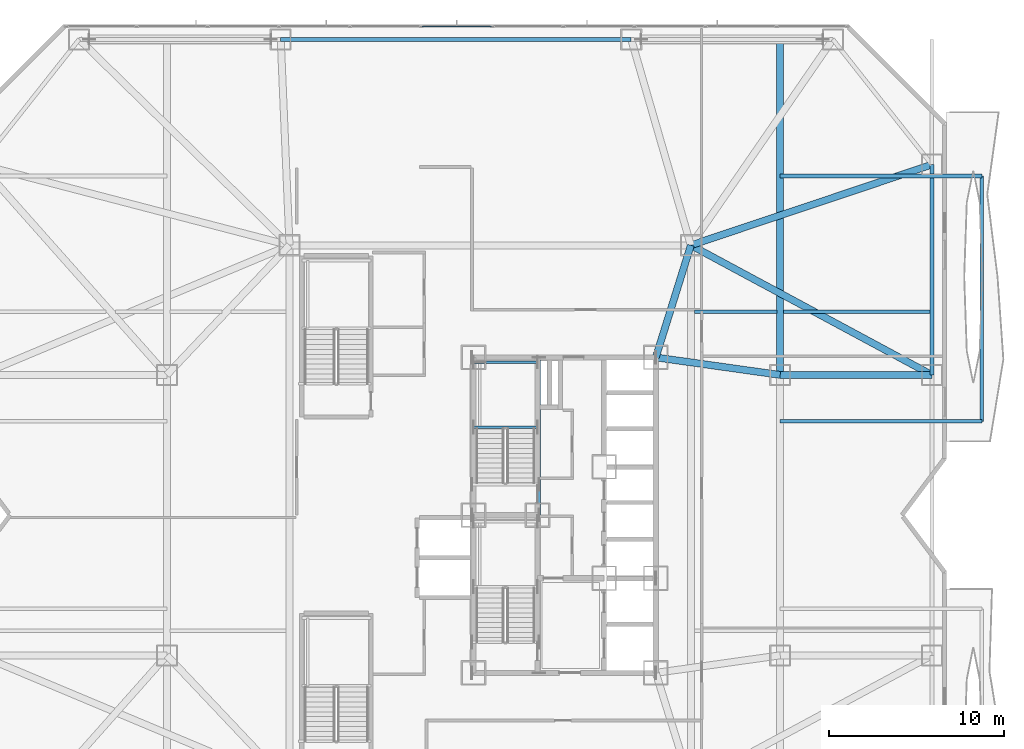
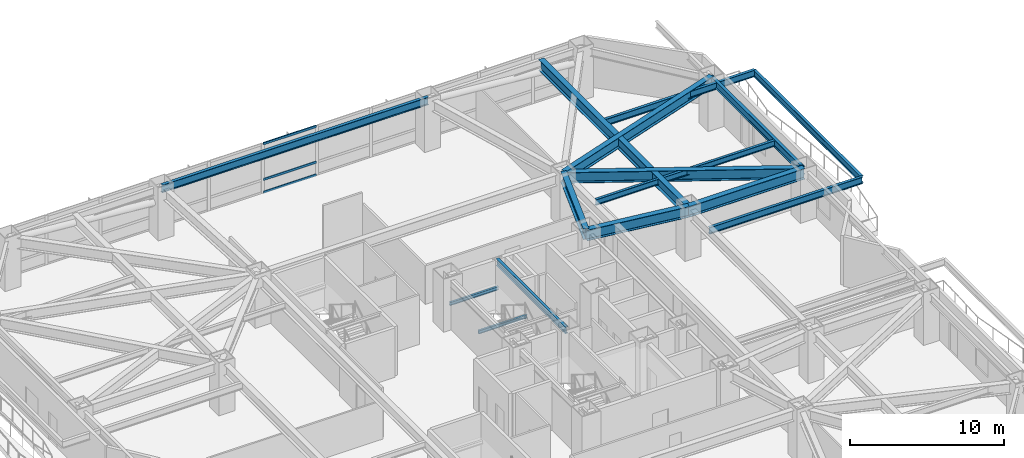
# One storey, part 5 of 25: 16 beams, 3 members, 1 element without a shape of its own.
"""IFC4 building model written with IfcOpenShell, lengths in metres."""

from ifc_helpers import new_model, si_unit, direction, frame, origin, origin_2d, place, context, subcontext, project, spatial, hollow_rectangle, i_section, extrude, material, material_profile, profile_set, type_object, element, aggregate, save


model = new_model("IFC4")

# Units and contexts
model_context = context("Model", 3, precision=1e-05, world=origin(), true_north=direction((0.0, 1.0)))
body_context = subcontext(model_context, "Body", "Model", "MODEL_VIEW")
ifc_project = project(units=[si_unit("LENGTHUNIT", "METRE"), si_unit("AREAUNIT", "SQUARE_METRE"), si_unit("VOLUMEUNIT", "CUBIC_METRE"), si_unit("PLANEANGLEUNIT", "RADIAN"), si_unit("MASSUNIT", "GRAM", prefix="KILO")], contexts=[model_context])

# Site, building, storey
site_placement = place(None, origin())
site = spatial("IfcSite", under=ifc_project, at=site_placement, CompositionType="ELEMENT")
building_placement = place(site_placement, origin())
building = spatial("IfcBuilding", under=site, at=building_placement, Name="Khamvora Tower", CompositionType="ELEMENT")
storey_placement = place(building_placement, frame((0.0, 0.0, 16.199951171875)))
storey = spatial("IfcBuildingStorey", under=building, at=storey_placement, Name="L03", CompositionType="ELEMENT", Elevation=16.199951171875)

# Beams
ifc_material_1 = material(Name="Steel S355", Category="steel")
ifc_material_profile_1 = material_profile(ifc_material_1, i_section(OverallWidth=0.19189453125, OverallDepth=0.462890625, WebThickness=0.010986328125, FlangeThickness=0.01806640625, FilletRadius=0.011962890625, at=origin_2d()), Name="W460x89")
ifc_profile_set_1 = profile_set([ifc_material_profile_1], Name="Steel S355")
beam_type_1 = type_object("IfcBeamType", Name="BM-JS-W460x89", PredefinedType="JOIST", material=ifc_profile_set_1)
beam_1_placement = place(storey_placement, frame((41.594970703125, 39.60009765625, 3.68896484375), z_axis=(1.0, 0.0, 0.0), x_axis=(0.0, 1.0, 0.0)))
element("IfcBeam", 1, at=beam_1_placement, inside=storey, type_object=beam_type_1, Name="L03 secondary floor joist 15", PredefinedType="JOIST", context=body_context, shape_type="SweptSolid", body=[
    extrude(i_section(OverallWidth=0.19189453125, OverallDepth=0.462890625, WebThickness=0.010986328125, FlangeThickness=0.01806640625, FilletRadius=0.011962890625, at=origin_2d()), origin(), (0.0, 0.0, 1.0), 4.7099609375),
])
beam_2_placement = place(storey_placement, frame((46.695068359375, 39.60009765625, 3.68896484375), z_axis=(1.0, 0.0, 0.0), x_axis=(0.0, 1.0, 0.0)))
element("IfcBeam", 2, at=beam_2_placement, inside=storey, type_object=beam_type_1, Name="L03 secondary floor joist 16", PredefinedType="JOIST", context=body_context, shape_type="SweptSolid", body=[
    extrude(i_section(OverallWidth=0.19189453125, OverallDepth=0.462890625, WebThickness=0.010986328125, FlangeThickness=0.01806640625, FilletRadius=0.011962890625, at=origin_2d()), origin(), (0.0, 0.0, 1.0), 8.344970703125),
])
ifc_material_profile_2 = material_profile(ifc_material_1, i_section(OverallWidth=0.14697265625, OverallDepth=0.261962890625, WebThickness=0.007080078125, FlangeThickness=0.010986328125, FilletRadius=0.008056640625, at=origin_2d()), Name="W250x39")
ifc_profile_set_2 = profile_set([ifc_material_profile_2], Name="Steel S355")
beam_type_2 = type_object("IfcBeamType", Name="BM-LN-W250x39", PredefinedType="LINTEL", material=ifc_profile_set_2)
for number, where, z_axis, x_axis, name in (
    (3, (29.0, 33.014892578125, 1.76904296875), (1.0, 0.0, 0.0), (0.0, 1.0, 0.0), "L03 ST-02 half-landing support beam 1.1"),
    (4, (29.0, 36.72998046875, 1.76904296875), (1.0, 0.0, 0.0), (0.0, 1.0, 0.0), "L03 ST-02 half-landing support beam 1.2"),
):
    element("IfcBeam", number, at=place(storey_placement, frame(where, z_axis=z_axis, x_axis=x_axis)), inside=storey, type_object=beam_type_2, Name=name, PredefinedType="LINTEL", context=body_context, shape_type="SweptSolid", body=[
        extrude(i_section(OverallWidth=0.14697265625, OverallDepth=0.261962890625, WebThickness=0.007080078125, FlangeThickness=0.010986328125, FilletRadius=0.008056640625, at=origin_2d()), origin(), (0.0, 0.0, 1.0), 3.64990234375),
    ])
ifc_material_profile_3 = material_profile(ifc_material_1, i_section(OverallWidth=0.39990234375, OverallDepth=0.85498046875, WebThickness=0.01806640625, FlangeThickness=0.029052734375, FilletRadius=0.01806640625, at=origin_2d()), Name="W840x299")
ifc_profile_set_3 = profile_set([ifc_material_profile_3], Name="Steel S355")
beam_type_3 = type_object("IfcBeamType", Name="BM-PG-W840x299", PredefinedType="BEAM", material=ifc_profile_set_3)
beam_3_placement = place(storey_placement, frame((46.5, 36.0, 3.4931640625), z_axis=(1.0, 0.0, 0.0), x_axis=(0.0, 1.0, 0.0)))
element("IfcBeam", 5, at=beam_3_placement, inside=storey, type_object=beam_type_3, Name="L03 primary floor girder P15", PredefinedType="BEAM", context=body_context, shape_type="SweptSolid", body=[
    extrude(i_section(OverallWidth=0.39990234375, OverallDepth=0.85498046875, WebThickness=0.01806640625, FlangeThickness=0.029052734375, FilletRadius=0.01806640625, at=origin_2d()), origin(), (0.0, 0.0, 1.0), 8.64990234375),
])
beam_4_placement = place(storey_placement, frame((41.39990234375, 43.39990234375, 3.4931640625), z_axis=(0.948335857324, 0.31726818579, 0.0), x_axis=(-0.31726818579, 0.948335857324, 0.0)))
element("IfcBeam", 6, at=beam_4_placement, inside=storey, type_object=beam_type_3, Name="L03 primary floor girder P16", PredefinedType="BEAM", context=body_context, shape_type="SweptSolid", body=[
    extrude(i_section(OverallWidth=0.39990234375, OverallDepth=0.85498046875, WebThickness=0.01806640625, FlangeThickness=0.029052734375, FilletRadius=0.01806640625, at=origin_2d()), origin(), (0.0, 0.0, 1.0), 14.4990234375),
])
beam_5_placement = place(storey_placement, frame((39.39990234375, 37.0, 3.4931640625), z_axis=(0.298279139585, 0.95447868226, 0.0), x_axis=(-0.95447868226, 0.298279139585, 0.0)))
element("IfcBeam", 7, at=beam_5_placement, inside=storey, type_object=beam_type_3, Name="L03 primary floor girder P20", PredefinedType="BEAM", context=body_context, shape_type="SweptSolid", body=[
    extrude(i_section(OverallWidth=0.39990234375, OverallDepth=0.85498046875, WebThickness=0.01806640625, FlangeThickness=0.029052734375, FilletRadius=0.01806640625, at=origin_2d()), origin(), (0.0, 0.0, 1.0), 6.705078125),
])
beam_6_placement = place(storey_placement, frame((39.39990234375, 37.0, 3.4931640625), z_axis=(0.990226770029, -0.139466640879, 0.0), x_axis=(0.139466640879, 0.990226770029, 0.0)))
element("IfcBeam", 8, at=beam_6_placement, inside=storey, type_object=beam_type_3, Name="L03 primary floor girder P24", PredefinedType="BEAM", context=body_context, shape_type="SweptSolid", body=[
    extrude(i_section(OverallWidth=0.39990234375, OverallDepth=0.85498046875, WebThickness=0.01806640625, FlangeThickness=0.029052734375, FilletRadius=0.01806640625, at=origin_2d()), origin(), (0.0, 0.0, 1.0), 7.170166015625),
])
beam_7_placement = place(storey_placement, frame((55.14990234375, 36.0, 3.4931640625), z_axis=(-0.880576508414, 0.473904012252, 0.0), x_axis=(-0.473904012252, -0.880576508414, 0.0)))
element("IfcBeam", 9, at=beam_7_placement, inside=storey, type_object=beam_type_3, Name="L03 east plinth tie girder 3", PredefinedType="BEAM", context=body_context, shape_type="SweptSolid", body=[
    extrude(i_section(OverallWidth=0.39990234375, OverallDepth=0.85498046875, WebThickness=0.01806640625, FlangeThickness=0.029052734375, FilletRadius=0.01806640625, at=origin_2d()), origin(), (0.0, 0.0, 1.0), 15.61474609375),
])
beam_8_placement = place(storey_placement, frame((46.5, 36.0, 3.4931640625), z_axis=(0.0, 1.0, 0.0), x_axis=(-1.0, 0.0, 0.0)))
element("IfcBeam", 10, at=beam_8_placement, inside=storey, type_object=beam_type_3, Name="L03 gallery collector girder E.3", PredefinedType="BEAM", context=body_context, shape_type="SweptSolid", body=[
    extrude(i_section(OverallWidth=0.39990234375, OverallDepth=0.85498046875, WebThickness=0.01806640625, FlangeThickness=0.029052734375, FilletRadius=0.01806640625, at=origin_2d()), origin(), (0.0, 0.0, 1.0), 19.14990234375),
])
ifc_material_profile_4 = material_profile(ifc_material_1, i_section(OverallWidth=0.208984375, OverallDepth=0.532958984375, WebThickness=0.010009765625, FlangeThickness=0.01611328125, FilletRadius=0.013916015625, at=origin_2d()), Name="W530x92")
ifc_profile_set_4 = profile_set([ifc_material_profile_4], Name="Steel S355")
beam_type_4 = type_object("IfcBeamType", Name="BM-SP-W530x92", PredefinedType="SPANDREL", material=ifc_profile_set_4)
beam_9_placement = place(storey_placement, frame((32.72998046875, 28.0, 3.654052734375), z_axis=(0.0, 1.0, 0.0), x_axis=(-1.0, 0.0, 0.0)))
element("IfcBeam", 11, at=beam_9_placement, inside=storey, type_object=beam_type_4, Name="L03 core spine girder M1N", PredefinedType="SPANDREL", context=body_context, shape_type="SweptSolid", body=[
    extrude(i_section(OverallWidth=0.208984375, OverallDepth=0.532958984375, WebThickness=0.010009765625, FlangeThickness=0.01611328125, FilletRadius=0.013916015625, at=origin_2d()), origin(), (0.0, 0.0, 1.0), 9.0),
])
for number, where, z_axis, x_axis, name in (
    (12, (46.5, 33.35009765625, 3.512939453125), (1.0, 0.0, 0.0), (0.0, 1.0, 0.0), "L03 continuous gallery cantilever girder L04-EL2-1"),
    (13, (46.5, 47.35009765625, 3.512939453125), (1.0, 0.0, 0.0), (0.0, 1.0, 0.0), "L03 continuous gallery cantilever girder L04-EL2-2"),
):
    element("IfcBeam", number, at=place(storey_placement, frame(where, z_axis=z_axis, x_axis=x_axis)), inside=storey, type_object=beam_type_4, Name=name, PredefinedType="SPANDREL", context=body_context, shape_type="SweptSolid", body=[
        extrude(i_section(OverallWidth=0.208984375, OverallDepth=0.532958984375, WebThickness=0.010009765625, FlangeThickness=0.01611328125, FilletRadius=0.013916015625, at=origin_2d()), origin(), (0.0, 0.0, 1.0), 11.5),
    ])
beam_10_placement = place(storey_placement, frame((58.0, 33.35009765625, 3.512939453125), z_axis=(0.0, 1.0, 0.0), x_axis=(-1.0, 0.0, 0.0)))
element("IfcBeam", 14, at=beam_10_placement, inside=storey, type_object=beam_type_4, Name="L03 external gallery edge header beam L04-EL2", PredefinedType="SPANDREL", context=body_context, shape_type="SweptSolid", body=[
    extrude(i_section(OverallWidth=0.208984375, OverallDepth=0.532958984375, WebThickness=0.010009765625, FlangeThickness=0.01611328125, FilletRadius=0.013916015625, at=origin_2d()), origin(), (0.0, 0.0, 1.0), 14.0),
])
ifc_material_profile_5 = material_profile(ifc_material_1, i_section(OverallWidth=0.22998046875, OverallDepth=0.616943359375, WebThickness=0.012939453125, FlangeThickness=0.02197265625, FilletRadius=0.013916015625, at=origin_2d()), Name="W610x140")
ifc_profile_set_5 = profile_set([ifc_material_profile_5], Name="Steel S355")
beam_type_5 = type_object("IfcBeamType", Name="BM-SP-W610x140", PredefinedType="SPANDREL", material=ifc_profile_set_5)
beam_11_placement = place(storey_placement, frame((55.14990234375, 36.0, 3.612060546875), z_axis=(0.0, 1.0, 0.0), x_axis=(-1.0, 0.0, 0.0)))
element("IfcBeam", 15, at=beam_11_placement, inside=storey, type_object=beam_type_5, Name="L03 perimeter spandrel beam P15-P16", PredefinedType="SPANDREL", context=body_context, shape_type="SweptSolid", body=[
    extrude(i_section(OverallWidth=0.22998046875, OverallDepth=0.616943359375, WebThickness=0.012939453125, FlangeThickness=0.02197265625, FilletRadius=0.013916015625, at=origin_2d()), origin(), (0.0, 0.0, 1.0), 12.0),
])
beam_12_placement = place(storey_placement, frame((38.0, 55.14990234375, 3.612060546875), z_axis=(-1.0, 0.0, 0.0), x_axis=(0.0, -1.0, 0.0)))
element("IfcBeam", 16, at=beam_12_placement, inside=storey, type_object=beam_type_5, Name="L03 perimeter spandrel beam P07-P06", PredefinedType="SPANDREL", context=body_context, shape_type="SweptSolid", body=[
    extrude(i_section(OverallWidth=0.22998046875, OverallDepth=0.616943359375, WebThickness=0.012939453125, FlangeThickness=0.02197265625, FilletRadius=0.013916015625, at=origin_2d()), origin(), (0.0, 0.0, 1.0), 20.0),
])

# Curtain wall, members
ifc_material_2 = material(Name="Anodised Aluminium 6063-T6", Category="aluminium")
curtain_wall_type = type_object("IfcCurtainWallType", Name="CW-SYS-01", PredefinedType="NOTDEFINED", material=ifc_material_2)
curtain_wall_placement = place(storey_placement, origin())
curtain_wall = element("IfcCurtainWall", 17, at=curtain_wall_placement, inside=storey, type_object=curtain_wall_type, Name="L03 stick curtain wall 07.1", PredefinedType="NOTDEFINED")
ifc_material_profile_6 = material_profile(ifc_material_2, hollow_rectangle(XDim=0.074951171875, YDim=0.179931640625, WallThickness=0.0048828125, at=origin_2d()), Name="TRN75x180x5")
ifc_profile_set_6 = profile_set([ifc_material_profile_6], Name="Anodised Aluminium 6063-T6")
member_type = type_object("IfcMemberType", Name="CW-SYS-01-TRN", PredefinedType="USERDEFINED", material=ifc_profile_set_6)
member_1_placement = place(storey_placement, frame((26.047607421875, 55.8798828125, 0.03759765625), z_axis=(1.0, 0.0, 0.0), x_axis=(0.0, 1.0, 0.0)))
member_1 = element("IfcMember", 18, at=member_1_placement, type_object=member_type, Name="CW-01 transom 6.1", ObjectType="TRANSOM", PredefinedType="USERDEFINED", context=body_context, shape_type="SweptSolid", body=[
    extrude(hollow_rectangle(XDim=0.074951171875, YDim=0.179931640625, WallThickness=0.0048828125, at=origin_2d()), origin(), (0.0, 0.0, 1.0), 3.981689453125),
])
member_2_placement = place(storey_placement, frame((26.047607421875, 55.8798828125, 1.050048828125), z_axis=(1.0, 0.0, 0.0), x_axis=(0.0, 1.0, 0.0)))
member_2 = element("IfcMember", 19, at=member_2_placement, type_object=member_type, Name="CW-01 transom 6.2", ObjectType="TRANSOM", PredefinedType="USERDEFINED", context=body_context, shape_type="SweptSolid", body=[
    extrude(hollow_rectangle(XDim=0.074951171875, YDim=0.179931640625, WallThickness=0.0048828125, at=origin_2d()), origin(), (0.0, 0.0, 1.0), 3.981689453125),
])
member_3_placement = place(storey_placement, frame((26.047607421875, 55.8798828125, 3.882568359375), z_axis=(1.0, 0.0, 0.0), x_axis=(0.0, 1.0, 0.0)))
member_3 = element("IfcMember", 20, at=member_3_placement, type_object=member_type, Name="CW-01 transom 6.3", ObjectType="TRANSOM", PredefinedType="USERDEFINED", context=body_context, shape_type="SweptSolid", body=[
    extrude(hollow_rectangle(XDim=0.074951171875, YDim=0.179931640625, WallThickness=0.0048828125, at=origin_2d()), origin(), (0.0, 0.0, 1.0), 3.981689453125),
])
aggregate(curtain_wall, [member_1, member_2, member_3])

save(model, "model.ifc")
